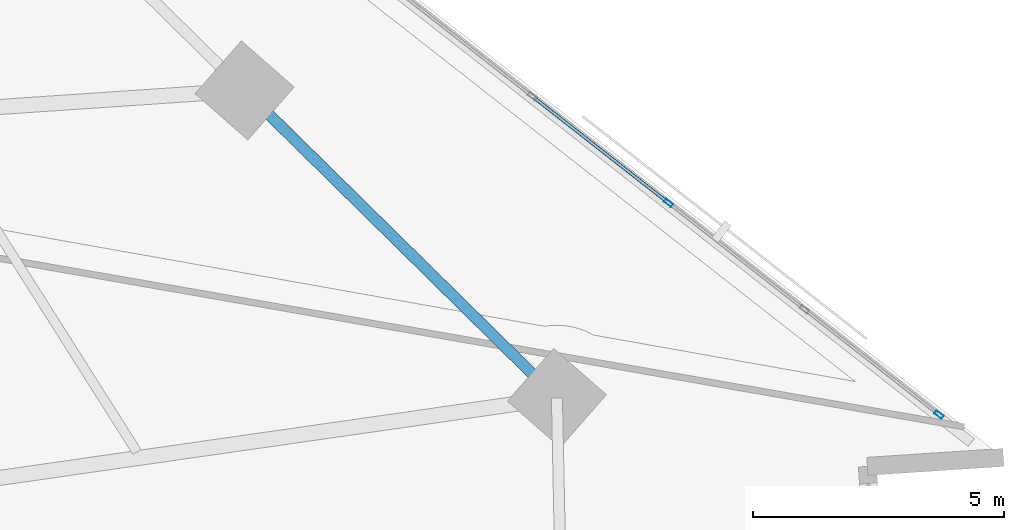
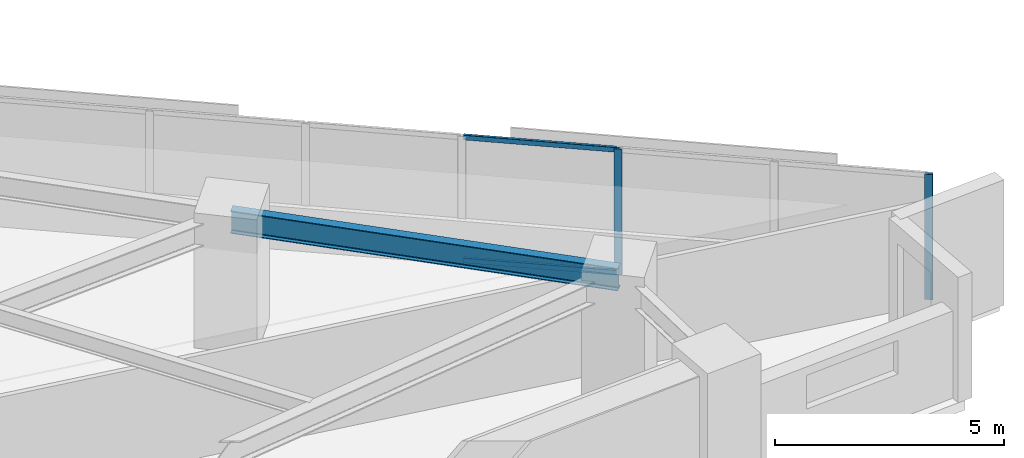
# One storey, part 4 of 15: 4 members, 1 beam, 1 element without a shape of its own.
"""IFC4 building model written with IfcOpenShell, lengths in metres."""

from ifc_helpers import new_model, si_unit, direction, frame, origin, origin_2d, place, context, subcontext, project, spatial, hollow_rectangle, i_section, extrude, material, material_profile, profile_set, type_object, element, aggregate, save


model = new_model("IFC4")

# Units and contexts
model_context = context("Model", 3, precision=1e-05, world=origin(), true_north=direction((0.0, 1.0)))
body_context = subcontext(model_context, "Body", "Model", "MODEL_VIEW")
ifc_project = project(units=[si_unit("LENGTHUNIT", "METRE"), si_unit("AREAUNIT", "SQUARE_METRE"), si_unit("VOLUMEUNIT", "CUBIC_METRE"), si_unit("PLANEANGLEUNIT", "RADIAN"), si_unit("MASSUNIT", "GRAM", prefix="KILO")], contexts=[model_context])

# Site, building, storey
site_placement = place(None, origin())
site = spatial("IfcSite", under=ifc_project, at=site_placement, CompositionType="ELEMENT")
building_placement = place(site_placement, origin())
building = spatial("IfcBuilding", under=site, at=building_placement, Name="Narakoshi Arena Tower", CompositionType="ELEMENT")
storey_placement = place(building_placement, frame((0.0, 0.0, 74.10009765625)))
storey = spatial("IfcBuildingStorey", under=building, at=storey_placement, Name="L19", CompositionType="ELEMENT", Elevation=74.10009765625)

# Beam
ifc_material_1 = material(Name="Structural steel S355J2", Category="steel")
ifc_material_profile_1 = material_profile(ifc_material_1, i_section(OverallWidth=0.219970703125, OverallDepth=0.60009765625, WebThickness=0.011962890625, FlangeThickness=0.01904296875, FilletRadius=0.02392578125, at=origin_2d()), Name="IPE600")
ifc_profile_set_1 = profile_set([ifc_material_profile_1], Name="Structural steel S355J2")
beam_type = type_object("IfcBeamType", Name="BM-EDGE-600", PredefinedType="BEAM", material=ifc_profile_set_1)
beam_placement = place(storey_placement, frame((113.21630859375, 38.669189453125, 3.039794921875), z_axis=(-0.712519972485, 0.701651828765, 0.0), x_axis=(-0.701651828765, -0.712519972485, 0.0)))
element("IfcBeam", 1, at=beam_placement, inside=storey, type_object=beam_type, Name="L19 Perimeter Edge Girder 05", PredefinedType="BEAM", context=body_context, shape_type="SweptSolid", body=[
    extrude(i_section(OverallWidth=0.219970703125, OverallDepth=0.60009765625, WebThickness=0.011962890625, FlangeThickness=0.01904296875, FilletRadius=0.02392578125, at=origin_2d()), origin(), (0.0, 0.0, 1.0), 8.738525390625),
])

# Curtain wall, members
ifc_material_2 = material(Name="Anodised bronze aluminium 6063-T6", Category="aluminium")
curtain_wall_type = type_object("IfcCurtainWallType", Name="CW-HYP-LOW", PredefinedType="NOTDEFINED", material=ifc_material_2)
curtain_wall_placement = place(storey_placement, origin())
curtain_wall = element("IfcCurtainWall", 2, at=curtain_wall_placement, inside=storey, type_object=curtain_wall_type, Name="L19 Folded Hypotenuse Curtain Wall 1-1", PredefinedType="NOTDEFINED")
ifc_material_profile_2 = material_profile(ifc_material_2, hollow_rectangle(XDim=0.074951171875, YDim=0.179931640625, WallThickness=0.00390625, OuterFilletRadius=0.0048828125, at=origin_2d()), Name="MUL180x75x4")
ifc_profile_set_2 = profile_set([ifc_material_profile_2], Name="Anodised bronze aluminium 6063-T6")
member_type_1 = type_object("IfcMemberType", Name="MEM-MUL-180", PredefinedType="MULLION", material=ifc_profile_set_2)
member_1_placement = place(storey_placement, frame((120.83251953125, 38.336181640625, 0.0), z_axis=(0.0, 0.0, 1.0), x_axis=(-0.616458234641, -0.787387607817, 0.0)))
member_1 = element("IfcMember", 3, at=member_1_placement, type_object=member_type_1, Name="CW-01 mullion 1", PredefinedType="MULLION", context=body_context, shape_type="SweptSolid", body=[
    extrude(hollow_rectangle(XDim=0.074951171875, YDim=0.179931640625, WallThickness=0.00390625, OuterFilletRadius=0.0048828125, at=origin_2d()), origin(), (0.0, 0.0, 1.0), 3.33984375),
])
member_2_placement = place(storey_placement, frame((115.43896484375, 42.558837890625, 0.0), z_axis=(0.0, 0.0, 1.0), x_axis=(-0.616458234641, -0.787387607817, 0.0)))
member_2 = element("IfcMember", 4, at=member_2_placement, type_object=member_type_1, Name="CW-01 mullion 3", PredefinedType="MULLION", context=body_context, shape_type="SweptSolid", body=[
    extrude(hollow_rectangle(XDim=0.074951171875, YDim=0.179931640625, WallThickness=0.00390625, OuterFilletRadius=0.0048828125, at=origin_2d()), origin(), (0.0, 0.0, 1.0), 3.33984375),
])
ifc_material_profile_3 = material_profile(ifc_material_2, hollow_rectangle(XDim=0.06494140625, YDim=0.1298828125, WallThickness=0.00390625, OuterFilletRadius=0.0048828125, at=origin_2d()), Name="TRN130x65x4")
ifc_profile_set_3 = profile_set([ifc_material_profile_3], Name="Anodised bronze aluminium 6063-T6")
member_type_2 = type_object("IfcMemberType", Name="MEM-TRN-130", PredefinedType="USERDEFINED", material=ifc_profile_set_3)
member_3_placement = place(storey_placement, frame((115.409423828125, 42.58203125, 0.032470703125), z_axis=(-0.787373456673, 0.616476309137, 0.0), x_axis=(-0.616476309137, -0.787373456673, 0.0)))
member_3 = element("IfcMember", 5, at=member_3_placement, type_object=member_type_2, Name="CW-01 transom 3.1", ObjectType="TRANSOM", PredefinedType="USERDEFINED", context=body_context, shape_type="SweptSolid", body=[
    extrude(hollow_rectangle(XDim=0.06494140625, YDim=0.1298828125, WallThickness=0.00390625, OuterFilletRadius=0.0048828125, at=origin_2d()), origin(), (0.0, 0.0, 1.0), 3.36865234375),
])
member_4_placement = place(storey_placement, frame((115.409423828125, 42.58203125, 3.307373046875), z_axis=(-0.787373456673, 0.616476309137, 0.0), x_axis=(-0.616476309137, -0.787373456673, 0.0)))
member_4 = element("IfcMember", 6, at=member_4_placement, type_object=member_type_2, Name="CW-01 transom 3.2", ObjectType="TRANSOM", PredefinedType="USERDEFINED", context=body_context, shape_type="SweptSolid", body=[
    extrude(hollow_rectangle(XDim=0.06494140625, YDim=0.1298828125, WallThickness=0.00390625, OuterFilletRadius=0.0048828125, at=origin_2d()), origin(), (0.0, 0.0, 1.0), 3.36865234375),
])
aggregate(curtain_wall, [member_1, member_2, member_3, member_4])

save(model, "model.ifc")
